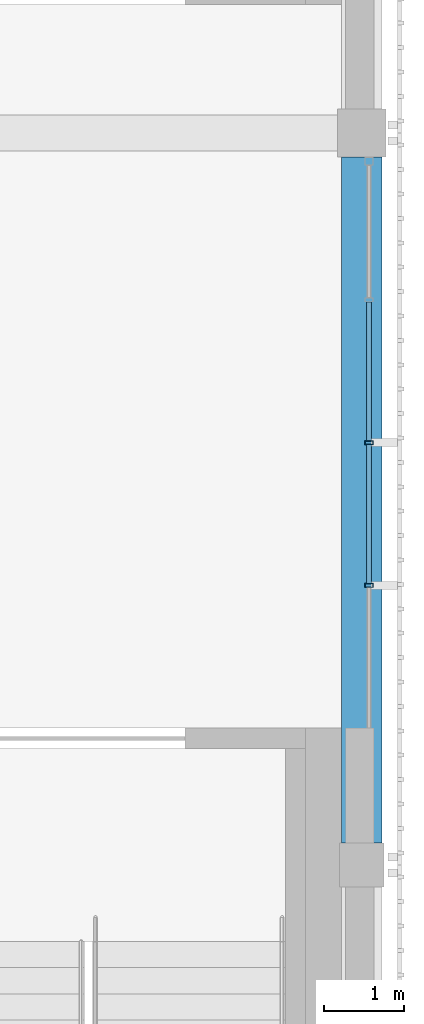
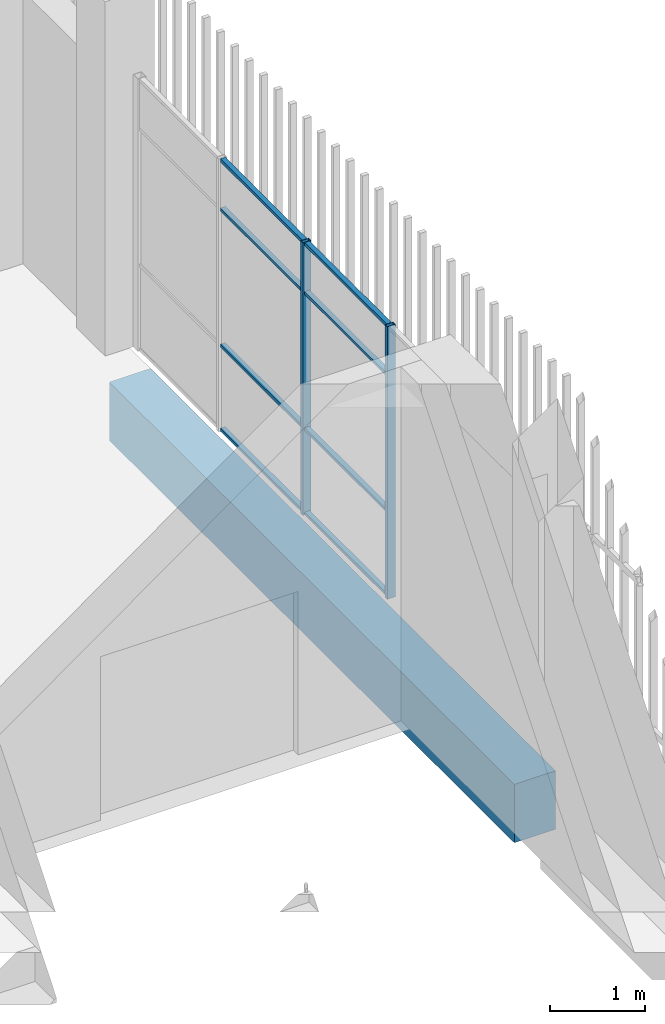
# One storey, part 48 of 126: 10 members, 1 beam, 1 element without a shape of its own.
"""IFC4 building model written with IfcOpenShell, lengths in metres."""

import ifcopenshell
import ifcopenshell.guid

model = None  # the IFC model being written
_history = None  # IfcOwnerHistory: only IFC2X3 demands one
_inside = {}  # id of a spatial element -> (the spatial element, [elements in it])
_under = {}  # id of a project, library or spatial element -> (it, [spatial elements below it])
_declared = {}  # id of a project -> (the project, [libraries it declares])
_typed = {}  # id of a type object -> (the type object, [elements of that type])
_made_of = {}  # id of a material, layer set ... -> (it, [elements and type objects made of it])


def new_model(schema):
    """Start an empty IFC model of exactly this schema.

    Asked for "IFC4X3", IfcOpenShell would pick the latest addendum, in which some entities
    have other attributes; the version numbers below select the first issue.
    IFC2X3 requires an IfcOwnerHistory on every rooted entity: one is made here for all.
    """
    global model, _history
    if schema == "IFC4X3":
        model = ifcopenshell.file(schema_version=(4, 3, 0, 0))
    else:
        model = ifcopenshell.file(schema=schema)
    _inside.clear()
    _under.clear()
    _declared.clear()
    _typed.clear()
    _made_of.clear()
    _history = None
    if model.schema == "IFC2X3":
        org = make("IfcOrganization", Name="unknown")
        user = make(
            "IfcPersonAndOrganization",
            ThePerson=make("IfcPerson", FamilyName="unknown"),
            TheOrganization=org,
        )
        app = make(
            "IfcApplication",
            ApplicationDeveloper=org,
            Version="unknown",
            ApplicationFullName="unknown",
            ApplicationIdentifier="unknown",
        )
        _history = make(
            "IfcOwnerHistory",
            OwningUser=user,
            OwningApplication=app,
            ChangeAction="ADDED",
            CreationDate=0,
        )
    return model


def make(cls, **values):
    """One entity of the class cls with the attributes given. An attribute that is None is left unset."""
    return model.create_entity(
        cls, **{name: value for name, value in values.items() if value is not None}
    )


def rooted(cls, **values):
    """An entity with a GlobalId (a new one), such as an element, a storey or a relation."""
    return make(cls, GlobalId=ifcopenshell.guid.new(), OwnerHistory=_history, **values)


def si_unit(unit_type, name, prefix=None):
    """IfcSIUnit, for example si_unit("LENGTHUNIT", "METRE", prefix="MILLI")."""
    return make("IfcSIUnit", UnitType=unit_type, Prefix=prefix, Name=name)


def assignment(units):
    """IfcUnitAssignment: the units of a project."""
    return None if units is None else make("IfcUnitAssignment", Units=units)


def point(xyz):
    """IfcCartesianPoint."""
    return None if xyz is None else make("IfcCartesianPoint", Coordinates=xyz)


def direction(xyz):
    """IfcDirection."""
    return None if xyz is None else make("IfcDirection", DirectionRatios=xyz)


def frame(location, z_axis=None, x_axis=None):
    """IfcAxis2Placement3D, a coordinate frame: its origin and axes. An axis left out is left unset."""
    return make(
        "IfcAxis2Placement3D",
        Location=point(location),
        Axis=direction(z_axis),
        RefDirection=direction(x_axis),
    )


def frame_2d(location, x_axis=None):
    """IfcAxis2Placement2D, a coordinate frame in the plane: its origin and x axis."""
    return make(
        "IfcAxis2Placement2D", Location=point(location), RefDirection=direction(x_axis)
    )


def origin():
    """The frame at (0, 0, 0) with its axes left unset."""
    return frame((0.0, 0.0, 0.0))


def origin_2d():
    """The frame at (0, 0) in the plane with its x axis left unset."""
    return frame_2d((0.0, 0.0))


def place(relative_to, where):
    """IfcLocalPlacement: puts the frame where relative to a parent placement (None: the world)."""
    return make(
        "IfcLocalPlacement", PlacementRelTo=relative_to, RelativePlacement=where
    )


def context(
    kind, dimensions, precision=None, world=None, true_north=None, identifier=None
):
    """IfcGeometricRepresentationContext, for example the 3D "Model" context."""
    return make(
        "IfcGeometricRepresentationContext",
        ContextIdentifier=identifier,
        ContextType=kind,
        CoordinateSpaceDimension=dimensions,
        Precision=precision,
        WorldCoordinateSystem=world,
        TrueNorth=true_north,
    )


def subcontext(parent, identifier, kind, view, scale=None):
    """IfcGeometricRepresentationSubContext, for example "Body" below "Model"."""
    return make(
        "IfcGeometricRepresentationSubContext",
        ContextIdentifier=identifier,
        ContextType=kind,
        ParentContext=parent,
        TargetScale=scale,
        TargetView=view,
    )


def project(units=None, contexts=None):
    """IfcProject with its units and contexts."""
    return rooted(
        "IfcProject",
        Name="project",
        RepresentationContexts=contexts,
        UnitsInContext=assignment(units),
    )


def spatial(cls, under=None, at=None, **own):
    """A site, building, storey or space (cls), placed at a placement, below another one or the project."""
    s = rooted(cls, ObjectPlacement=at, **own)
    if under is not None:
        _under.setdefault(under.id(), (under, []))[1].append(s)
    return s


def profile(cls, at=None, kind="AREA", **sizes):
    """A parametric profile (cls). Its sizes go by their IFC names, for example OverallWidth=200.0."""
    return make(cls, ProfileType=kind, Position=at, **sizes)


def rectangle(**sizes):
    """IfcRectangleProfileDef."""
    return profile("IfcRectangleProfileDef", **sizes)


def hollow_rectangle(**sizes):
    """IfcRectangleHollowProfileDef."""
    return profile("IfcRectangleHollowProfileDef", **sizes)


def extrude(swept, where, along, depth):
    """IfcExtrudedAreaSolid: the profile swept, set in the frame where, extruded along a direction by depth."""
    return make(
        "IfcExtrudedAreaSolid",
        SweptArea=swept,
        Position=where,
        ExtrudedDirection=direction(along),
        Depth=depth,
    )


def shape(context_of_items, identifier, shape_type, items):
    """IfcShapeRepresentation: the items that make up one representation, for example the "Body"."""
    return make(
        "IfcShapeRepresentation",
        ContextOfItems=context_of_items,
        RepresentationIdentifier=identifier,
        RepresentationType=shape_type,
        Items=items,
    )


def material(Name=None, Category=None):
    """IfcMaterial."""
    return make("IfcMaterial", Name=Name, Category=Category)


def layer(
    of_material, thickness, ventilated=None, Name=None, Category=None, Priority=None
):
    """IfcMaterialLayer: one layer of a wall or slab, of a material (None: an air gap)."""
    return make(
        "IfcMaterialLayer",
        Material=of_material,
        LayerThickness=thickness,
        IsVentilated=ventilated,
        Name=Name,
        Category=Category,
        Priority=Priority,
    )


def layer_set(layers, Name=None):
    """IfcMaterialLayerSet."""
    return make("IfcMaterialLayerSet", MaterialLayers=layers, LayerSetName=Name)


def material_profile(
    of_material, cross_section, Name=None, Category=None, Priority=None
):
    """IfcMaterialProfile: a cross section and its material."""
    return make(
        "IfcMaterialProfile",
        Name=Name,
        Material=of_material,
        Profile=cross_section,
        Priority=Priority,
        Category=Category,
    )


def profile_set(profiles, Name=None, composite=None):
    """IfcMaterialProfileSet."""
    return make(
        "IfcMaterialProfileSet",
        Name=Name,
        MaterialProfiles=profiles,
        CompositeProfile=composite,
    )


def made_of(thing, what):
    """Note that an element or type object is made of a material, layer set ...; save() writes the relation."""
    if what is not None:
        _made_of.setdefault(what.id(), (what, []))[1].append(thing)
    return thing


def type_object(cls, material=None, **own):
    """A type object (cls), such as IfcWallType, which elements share."""
    return made_of(rooted(cls, **own), material)


def element(
    cls,
    number,
    at=None,
    inside=None,
    cuts=None,
    type_object=None,
    material=None,
    context=None,
    identifier="Body",
    shape_type=None,
    held_by="IfcProductDefinitionShape",
    body=None,
    shapes=None,
    **own,
):
    """One element of the class cls, such as IfcWall. Its Tag is "e" and its number.

    at: its placement. inside: the storey or other place that contains it. cuts: it is an
    opening in that element (IfcRelVoidsElement). A single representation is given by context,
    identifier, shape_type and body (its items); several are given by shapes. held_by: the class
    of the entity that holds the representations. save() writes the other relations.
    """
    e = rooted(cls, Tag="e%d" % number, ObjectPlacement=at, **own)
    if body is not None:
        shapes = [shape(context, identifier, shape_type, body)]
    if shapes is not None:
        e.Representation = make(held_by, Representations=shapes)
    if inside is not None:
        _inside.setdefault(inside.id(), (inside, []))[1].append(e)
    if cuts is not None:
        rooted(
            "IfcRelVoidsElement", RelatingBuildingElement=cuts, RelatedOpeningElement=e
        )
    if type_object is not None:
        _typed.setdefault(type_object.id(), (type_object, []))[1].append(e)
    return made_of(e, material)


def aggregate(whole, parts):
    """IfcRelAggregates: a whole, such as a stair, and the parts it consists of."""
    return rooted("IfcRelAggregates", RelatingObject=whole, RelatedObjects=parts)


def save(model, path):
    """Write the relations noted so far, then the file.

    IfcRelAggregates (storeys below a building ...), IfcRelContainedInSpatialStructure (elements
    in a storey), IfcRelDefinesByType, IfcRelAssociatesMaterial and IfcRelDeclares: one each for
    every whole, place, type object, material and project.
    """
    for whole, parts in _under.values():
        aggregate(whole, parts)
    for where, things in _inside.values():
        rooted(
            "IfcRelContainedInSpatialStructure",
            RelatedElements=things,
            RelatingStructure=where,
        )
    for kind, things in _typed.values():
        rooted("IfcRelDefinesByType", RelatedObjects=things, RelatingType=kind)
    for what, things in _made_of.values():
        rooted("IfcRelAssociatesMaterial", RelatedObjects=things, RelatingMaterial=what)
    for by, libraries in _declared.values():
        rooted("IfcRelDeclares", RelatingContext=by, RelatedDefinitions=libraries)
    model.write(path)


model = new_model("IFC4")

# Units and contexts
model_context = context("Model", 3, precision=1e-05, world=origin(), true_north=direction((0.0, 1.0)))
body_context = subcontext(model_context, "Body", "Model", "MODEL_VIEW")
ifc_project = project(units=[si_unit("LENGTHUNIT", "METRE"), si_unit("AREAUNIT", "SQUARE_METRE"), si_unit("VOLUMEUNIT", "CUBIC_METRE"), si_unit("PLANEANGLEUNIT", "RADIAN"), si_unit("MASSUNIT", "GRAM", prefix="KILO")], contexts=[model_context])

# Site, building, storey
site_placement = place(None, origin())
site = spatial("IfcSite", under=ifc_project, at=site_placement, CompositionType="ELEMENT")
building_placement = place(site_placement, origin())
building = spatial("IfcBuilding", under=site, at=building_placement, Name="Shirokan Park Arena", CompositionType="ELEMENT")
storey_placement = place(building_placement, frame((0.0, 0.0, 6.3701171875)))
storey = spatial("IfcBuildingStorey", under=building, at=storey_placement, Name="L01", CompositionType="ELEMENT", Elevation=6.3701171875)

# Curtain wall, members
ifc_material_1 = material(Name="Steel and glass curtain wall", Category="steel")
ifc_layer = layer(ifc_material_1, 0.1201171875)
ifc_layer_set = layer_set([ifc_layer], Name="Steel and glass curtain wall 120 mm")
curtain_wall_type = type_object("IfcCurtainWallType", Name="Curtain wall corner block side bay 120", PredefinedType="NOTDEFINED", material=ifc_layer_set)
curtain_wall_placement = place(storey_placement, origin())
curtain_wall = element("IfcCurtainWall", 1, at=curtain_wall_placement, inside=storey, type_object=curtain_wall_type, Name="Curtain wall east bay 2 L01", PredefinedType="NOTDEFINED")
ifc_material_2 = material(Name="Steel S355", Category="steel")
ifc_material_profile_1 = material_profile(ifc_material_2, hollow_rectangle(XDim=0.10009765625, YDim=0.050048828125, WallThickness=0.0048828125, at=origin_2d()), Name="RHS 100x50x5")
ifc_profile_set_1 = profile_set([ifc_material_profile_1], Name="Steel S355")
member_type_1 = type_object("IfcMemberType", Name="Mullion RHS 100x50x5", PredefinedType="MULLION", material=ifc_profile_set_1)
member_1_placement = place(storey_placement, frame((145.68994140625, 12.574951171875, 0.0), z_axis=(0.0, 0.0, 1.0), x_axis=(-1.0, 0.0, 0.0)))
member_1 = element("IfcMember", 2, at=member_1_placement, type_object=member_type_1, Name="CW3 mullion 2", PredefinedType="MULLION", context=body_context, shape_type="SweptSolid", body=[
    extrude(hollow_rectangle(XDim=0.10009765625, YDim=0.050048828125, WallThickness=0.0048828125, at=origin_2d()), origin(), (0.0, 0.0, 1.0), 3.5),
])
member_2_placement = place(storey_placement, frame((145.68994140625, 14.35009765625, 0.0), z_axis=(0.0, 0.0, 1.0), x_axis=(-1.0, 0.0, 0.0)))
member_2 = element("IfcMember", 3, at=member_2_placement, type_object=member_type_1, Name="CW3 mullion 3", PredefinedType="MULLION", context=body_context, shape_type="SweptSolid", body=[
    extrude(hollow_rectangle(XDim=0.10009765625, YDim=0.050048828125, WallThickness=0.0048828125, at=origin_2d()), origin(), (0.0, 0.0, 1.0), 3.5),
])

# Beam
ifc_material_3 = material(Name="Concrete C35", Category="concrete")
ifc_material_profile_2 = material_profile(ifc_material_3, rectangle(XDim=0.5, YDim=0.75, at=origin_2d()), Name="500x750")
ifc_profile_set_2 = profile_set([ifc_material_profile_2], Name="Concrete C35")
beam_type = type_object("IfcBeamType", Name="RC girder 500x750", PredefinedType="BEAM", material=ifc_profile_set_2)
beam_placement = place(storey_placement, frame((145.60009765625, 9.375, -0.72509765625), z_axis=(0.0, 1.0, 0.0), x_axis=(-1.0, 0.0, 0.0)))
element("IfcBeam", 4, at=beam_placement, inside=storey, type_object=beam_type, Name="Girder 17B-17C L01", PredefinedType="BEAM", context=body_context, shape_type="SweptSolid", body=[
    extrude(rectangle(XDim=0.5, YDim=0.75, at=origin_2d()), origin(), (0.0, 0.0, 1.0), 8.52490234375),
])

# Member
ifc_material_profile_3 = material_profile(ifc_material_2, hollow_rectangle(XDim=0.06005859375, YDim=0.0400390625, WallThickness=0.00390625, at=origin_2d()), Name="RHS 60x40x4")
ifc_profile_set_3 = profile_set([ifc_material_profile_3], Name="Steel S355")
member_type_2 = type_object("IfcMemberType", Name="Transom RHS 60x40x4", PredefinedType="MULLION", material=ifc_profile_set_3)
member_3_placement = place(storey_placement, frame((145.68994140625, 12.60009765625, 0.019775390625), z_axis=(0.0, 1.0, 0.0), x_axis=(-1.0, 0.0, 0.0)))
member_3 = element("IfcMember", 5, at=member_3_placement, type_object=member_type_2, Name="CW3 transom 2.1", PredefinedType="MULLION", context=body_context, shape_type="SweptSolid", body=[
    extrude(hollow_rectangle(XDim=0.06005859375, YDim=0.0400390625, WallThickness=0.00390625, at=origin_2d()), origin(), (0.0, 0.0, 1.0), 1.724853515625),
])

member_4_placement = place(storey_placement, frame((145.68994140625, 12.60009765625, 1.099853515625), z_axis=(0.0, 1.0, 0.0), x_axis=(-1.0, 0.0, 0.0)))
member_4 = element("IfcMember", 6, at=member_4_placement, type_object=member_type_2, Name="CW3 transom 2.2", PredefinedType="MULLION", context=body_context, shape_type="SweptSolid", body=[
    extrude(hollow_rectangle(XDim=0.06005859375, YDim=0.0400390625, WallThickness=0.00390625, at=origin_2d()), origin(), (0.0, 0.0, 1.0), 1.724853515625),
])

member_5_placement = place(storey_placement, frame((145.68994140625, 12.60009765625, 2.849853515625), z_axis=(0.0, 1.0, 0.0), x_axis=(-1.0, 0.0, 0.0)))
member_5 = element("IfcMember", 7, at=member_5_placement, type_object=member_type_2, Name="CW3 transom 2.3", PredefinedType="MULLION", context=body_context, shape_type="SweptSolid", body=[
    extrude(hollow_rectangle(XDim=0.06005859375, YDim=0.0400390625, WallThickness=0.00390625, at=origin_2d()), origin(), (0.0, 0.0, 1.0), 1.724853515625),
])

member_6_placement = place(storey_placement, frame((145.68994140625, 12.60009765625, 3.47998046875), z_axis=(0.0, 1.0, 0.0), x_axis=(-1.0, 0.0, 0.0)))
member_6 = element("IfcMember", 8, at=member_6_placement, type_object=member_type_2, Name="CW3 transom 2.4", PredefinedType="MULLION", context=body_context, shape_type="SweptSolid", body=[
    extrude(hollow_rectangle(XDim=0.06005859375, YDim=0.0400390625, WallThickness=0.00390625, at=origin_2d()), origin(), (0.0, 0.0, 1.0), 1.724853515625),
])

member_7_placement = place(storey_placement, frame((145.68994140625, 14.375, 0.019775390625), z_axis=(0.0, 1.0, 0.0), x_axis=(-1.0, 0.0, 0.0)))
member_7 = element("IfcMember", 9, at=member_7_placement, type_object=member_type_2, Name="CW3 transom 3.1", PredefinedType="MULLION", context=body_context, shape_type="SweptSolid", body=[
    extrude(hollow_rectangle(XDim=0.06005859375, YDim=0.0400390625, WallThickness=0.00390625, at=origin_2d()), origin(), (0.0, 0.0, 1.0), 1.72509765625),
])

member_8_placement = place(storey_placement, frame((145.68994140625, 14.375, 1.099853515625), z_axis=(0.0, 1.0, 0.0), x_axis=(-1.0, 0.0, 0.0)))
member_8 = element("IfcMember", 10, at=member_8_placement, type_object=member_type_2, Name="CW3 transom 3.2", PredefinedType="MULLION", context=body_context, shape_type="SweptSolid", body=[
    extrude(hollow_rectangle(XDim=0.06005859375, YDim=0.0400390625, WallThickness=0.00390625, at=origin_2d()), origin(), (0.0, 0.0, 1.0), 1.72509765625),
])

member_9_placement = place(storey_placement, frame((145.68994140625, 14.375, 2.849853515625), z_axis=(0.0, 1.0, 0.0), x_axis=(-1.0, 0.0, 0.0)))
member_9 = element("IfcMember", 11, at=member_9_placement, type_object=member_type_2, Name="CW3 transom 3.3", PredefinedType="MULLION", context=body_context, shape_type="SweptSolid", body=[
    extrude(hollow_rectangle(XDim=0.06005859375, YDim=0.0400390625, WallThickness=0.00390625, at=origin_2d()), origin(), (0.0, 0.0, 1.0), 1.72509765625),
])

member_10_placement = place(storey_placement, frame((145.68994140625, 14.375, 3.47998046875), z_axis=(0.0, 1.0, 0.0), x_axis=(-1.0, 0.0, 0.0)))
member_10 = element("IfcMember", 12, at=member_10_placement, type_object=member_type_2, Name="CW3 transom 3.4", PredefinedType="MULLION", context=body_context, shape_type="SweptSolid", body=[
    extrude(hollow_rectangle(XDim=0.06005859375, YDim=0.0400390625, WallThickness=0.00390625, at=origin_2d()), origin(), (0.0, 0.0, 1.0), 1.72509765625),
])

aggregate(curtain_wall, [member_1, member_2, member_3, member_4, member_5, member_6, member_7, member_8, member_9, member_10])

save(model, "model.ifc")
